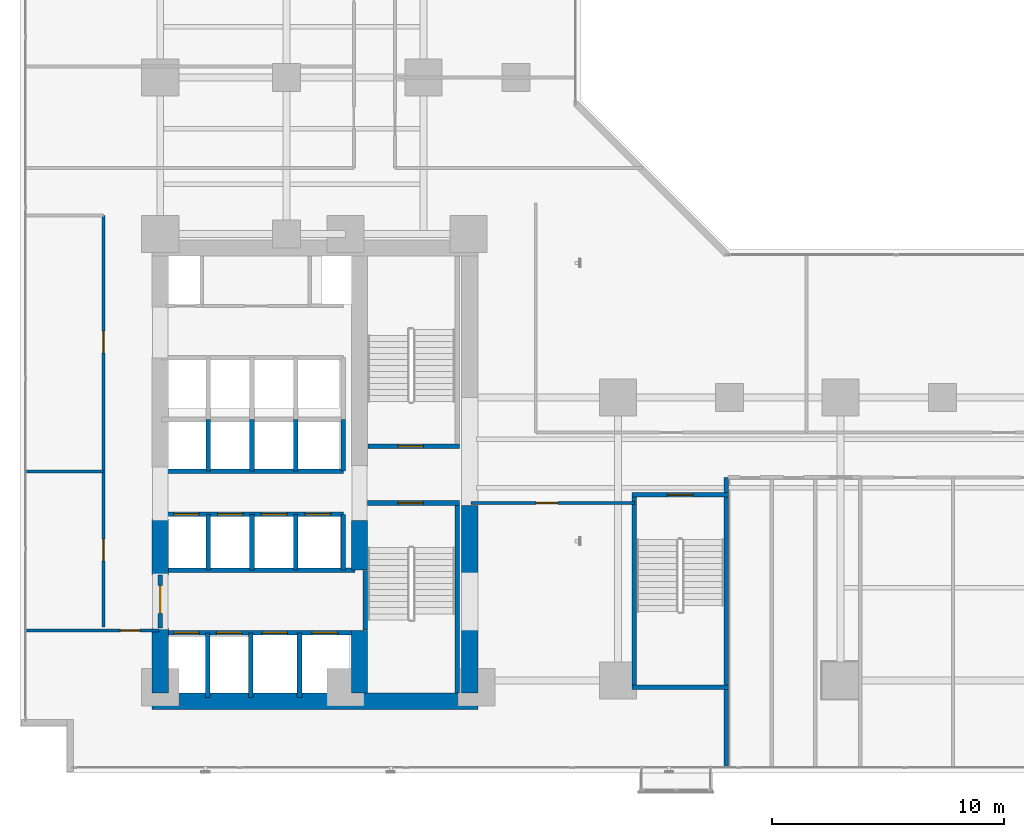
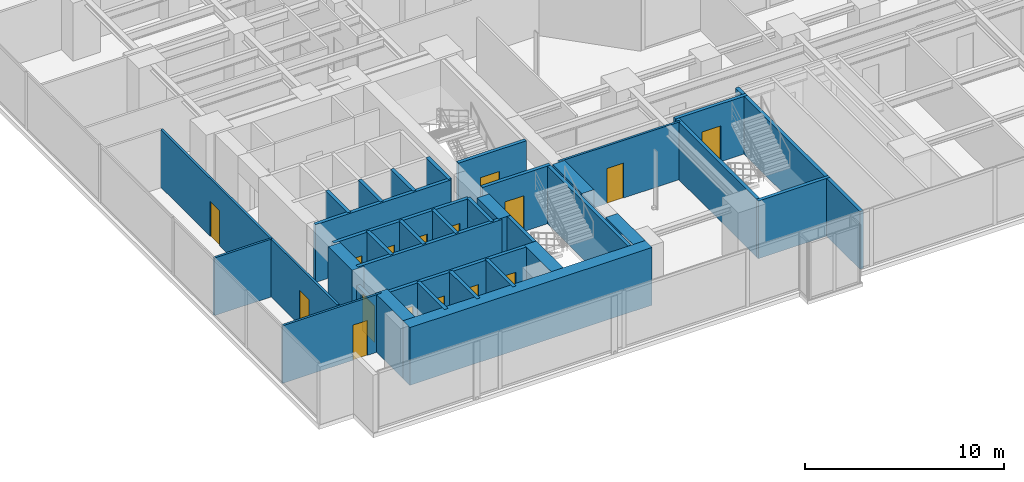
# One storey, part 22 of 27: 35 walls, 16 doors, 16 openings.
"""IFC4 building model written with IfcOpenShell, lengths in metres."""

from ifc_helpers import new_model, si_unit, direction, frame, frame_2d, origin, place, context, subcontext, project, spatial, rectangle, extrude, material, layer, layer_set, type_object, element, fill, save


model = new_model("IFC4")

# Units and contexts
model_context = context("Model", 3, precision=1e-05, world=origin(), true_north=direction((0.0, 1.0)))
body_context = subcontext(model_context, "Body", "Model", "MODEL_VIEW")
ifc_project = project(units=[si_unit("LENGTHUNIT", "METRE"), si_unit("AREAUNIT", "SQUARE_METRE"), si_unit("VOLUMEUNIT", "CUBIC_METRE"), si_unit("PLANEANGLEUNIT", "RADIAN"), si_unit("MASSUNIT", "GRAM", prefix="KILO")], contexts=[model_context])

# Site, building, storey
site_placement = place(None, origin())
site = spatial("IfcSite", under=ifc_project, at=site_placement, CompositionType="ELEMENT")
building_placement = place(site_placement, origin())
building = spatial("IfcBuilding", under=site, at=building_placement, Name="Kolvaren Waterfront Exchange", CompositionType="ELEMENT")
storey_placement = place(building_placement, frame((0.0, 0.0, 63.800048828125)))
storey = spatial("IfcBuildingStorey", under=building, at=storey_placement, Name="L16", CompositionType="ELEMENT", Elevation=63.800048828125)

# Wall, opening, door
ifc_material_1 = material(Name="Precast concrete C40/50", Category="concrete")
ifc_layer_1 = layer(ifc_material_1, 0.199951171875, Name="Precast concrete C40/50")
ifc_layer_set_1 = layer_set([ifc_layer_1], Name="Precast concrete C40/50")
wall_type_1 = type_object("IfcWallType", Name="ARC-FIRE-200", PredefinedType="PARTITIONING", material=ifc_layer_set_1)
wall_1_placement = place(storey_placement, frame((16.39990234375, 12.85009765625, 0.0), z_axis=(0.0, 0.0, 1.0), x_axis=(1.0, 0.0, 0.0)))
wall_1 = element("IfcWall", 1, at=wall_1_placement, inside=storey, type_object=wall_type_1, Name="L16 interior wall PW-L16-ST1-THROAT-S", PredefinedType="PARTITIONING", context=body_context, shape_type="SweptSolid", body=[
    extrude(rectangle(XDim=3.960205078125, YDim=0.199951171875, at=frame_2d((1.97998046875, 0.0))), origin(), (0.0, 0.0, 1.0), 3.5400390625),
])
opening_1_placement = place(wall_1_placement, frame((1.3037109375, 0.0, 0.0)))
opening_1 = element("IfcOpeningElement", 2, at=opening_1_placement, cuts=wall_1, Name="Opening FD2", PredefinedType="OPENING", context=body_context, shape_type="SweptSolid", body=[
    extrude(rectangle(XDim=1.10009765625, YDim=2.199951171875, at=frame_2d((0.550048828125, 1.10009765625))), frame((0.0, 0.10986328125, 0.0), z_axis=(0.0, -1.0, 0.0), x_axis=(1.0, 0.0, 0.0)), (0.0, 0.0, 1.0), 0.219970703125),
])
ifc_material_2 = material(Name="Pressed steel smoke-seal fire door", Category="steel")
door_type_1 = type_object("IfcDoorType", Name="ARC-FD-1100", OperationType="NOTDEFINED", PredefinedType="DOOR", material=ifc_material_2)
door_1_placement = place(opening_1_placement, frame((1.10009765625, 0.0, 0.0), z_axis=(0.0, 0.0, 1.0), x_axis=(-1.0, 0.0, 0.0)))
door_1 = element("IfcDoor", 3, at=door_1_placement, inside=storey, type_object=door_type_1, Name="L16 door DR-L16-ST1-IN (FD2)", OperationType="SINGLE_SWING_RIGHT", OverallHeight=2.199951171875, OverallWidth=1.10009765625, PredefinedType="DOOR", context=body_context, shape_type="SweptSolid", body=[
    extrude(rectangle(XDim=1.10009765625, YDim=2.199951171875, at=frame_2d((0.550048828125, 1.10009765625))), frame((0.0, 0.02490234375, 0.0), z_axis=(0.0, -1.0, 0.0), x_axis=(1.0, 0.0, 0.0)), (0.0, 0.0, 1.0), 0.050048828125),
])
fill(opening_1, door_1)

wall_2_placement = place(storey_placement, frame((16.409912109375, 15.300048828125, 0.0), z_axis=(0.0, 0.0, 1.0), x_axis=(1.0, 0.0, 0.0)))
wall_2 = element("IfcWall", 4, at=wall_2_placement, inside=storey, type_object=wall_type_1, Name="L16 interior wall PW-L16-ST2-THROAT-N", PredefinedType="PARTITIONING", context=body_context, shape_type="SweptSolid", body=[
    extrude(rectangle(XDim=3.9501953125, YDim=0.199951171875, at=frame_2d((1.97509765625, 0.0))), origin(), (0.0, 0.0, 1.0), 3.5400390625),
])
opening_2_placement = place(wall_2_placement, frame((1.293701171875, 0.0, 0.0)))
opening_2 = element("IfcOpeningElement", 5, at=opening_2_placement, cuts=wall_2, Name="Opening FD2", PredefinedType="OPENING", context=body_context, shape_type="SweptSolid", body=[
    extrude(rectangle(XDim=1.10009765625, YDim=2.199951171875, at=frame_2d((0.550048828125, 1.10009765625))), frame((0.0, 0.10986328125, 0.0), z_axis=(0.0, -1.0, 0.0), x_axis=(1.0, 0.0, 0.0)), (0.0, 0.0, 1.0), 0.219970703125),
])
door_2_placement = place(opening_2_placement, origin())
door_2 = element("IfcDoor", 6, at=door_2_placement, inside=storey, type_object=door_type_1, Name="L16 door DR-L16-ST2-IN (FD2)", OperationType="SINGLE_SWING_LEFT", OverallHeight=2.199951171875, OverallWidth=1.10009765625, PredefinedType="DOOR", context=body_context, shape_type="SweptSolid", body=[
    extrude(rectangle(XDim=1.10009765625, YDim=2.199951171875, at=frame_2d((0.550048828125, 1.10009765625))), frame((0.0, 0.02490234375, 0.0), z_axis=(0.0, -1.0, 0.0), x_axis=(1.0, 0.0, 0.0)), (0.0, 0.0, 1.0), 0.050048828125),
])
fill(opening_2, door_2)

# Wall
wall_3_placement = place(storey_placement, frame((7.5, 9.949951171875, 0.0), z_axis=(0.0, 0.0, 1.0), x_axis=(1.0, 0.0, 0.0)))
element("IfcWall", 7, at=wall_3_placement, inside=storey, type_object=wall_type_1, Name="L16 interior wall PW-L16-FF-N", PredefinedType="PARTITIONING", context=body_context, shape_type="SweptSolid", body=[
    extrude(rectangle(XDim=8.35009765625, YDim=0.199951171875, at=frame_2d((4.175048828125, 0.0))), origin(), (0.0, 0.0, 1.0), 3.5400390625),
])

# Wall, opening, door
wall_4_placement = place(storey_placement, frame((7.449951171875, 7.449951171875, 0.0), z_axis=(0.0, 0.0, 1.0), x_axis=(0.0, 1.0, 0.0)))
wall_4 = element("IfcWall", 8, at=wall_4_placement, inside=storey, type_object=wall_type_1, Name="L16 interior wall PW-L16-FF-W-DOOR", PredefinedType="PARTITIONING", context=body_context, shape_type="SweptSolid", body=[
    extrude(rectangle(XDim=2.300048828125, YDim=0.199951171875, at=frame_2d((1.14990234375, 0.0))), origin(), (0.0, 0.0, 1.0), 2.52001953125),
])
opening_3_placement = place(wall_4_placement, frame((0.63330078125, 0.0, 0.0)))
opening_3 = element("IfcOpeningElement", 9, at=opening_3_placement, cuts=wall_4, Name="Opening FD3", PredefinedType="OPENING", context=body_context, shape_type="SweptSolid", body=[
    extrude(rectangle(XDim=1.199951171875, YDim=2.25, at=frame_2d((0.60009765625, 1.125))), frame((0.0, 0.10986328125, 0.0), z_axis=(0.0, -1.0, 0.0), x_axis=(1.0, 0.0, 0.0)), (0.0, 0.0, 1.0), 0.219970703125),
])
ifc_material_3 = material(Name="Pressed steel fire door", Category="steel")
door_type_2 = type_object("IfcDoorType", Name="ARC-FD-1200", OperationType="NOTDEFINED", PredefinedType="DOOR", material=ifc_material_3)
door_3_placement = place(opening_3_placement, frame((1.199951171875, 0.0, 0.0), z_axis=(0.0, 0.0, 1.0), x_axis=(-1.0, 0.0, 0.0)))
door_3 = element("IfcDoor", 10, at=door_3_placement, inside=storey, type_object=door_type_2, Name="L16 door DR-L16-FF-OUT (FD3)", OperationType="SINGLE_SWING_LEFT", OverallHeight=2.25, OverallWidth=1.199951171875, PredefinedType="DOOR", context=body_context, shape_type="SweptSolid", body=[
    extrude(rectangle(XDim=1.199951171875, YDim=2.25, at=frame_2d((0.60009765625, 1.125))), frame((0.0, 0.02490234375, 0.0), z_axis=(0.0, -1.0, 0.0), x_axis=(1.0, 0.0, 0.0)), (0.0, 0.0, 1.0), 0.050048828125),
])
fill(opening_3, door_3)

ifc_material_4 = material(Name="Acoustic gypsum steel stud", Category="steel")
ifc_layer_2 = layer(ifc_material_4, 0.125, Name="Acoustic gypsum steel stud")
ifc_layer_set_2 = layer_set([ifc_layer_2], Name="Acoustic gypsum steel stud")
wall_type_2 = type_object("IfcWallType", Name="ARC-PART-125", PredefinedType="PARTITIONING", material=ifc_layer_set_2)
wall_5_placement = place(storey_placement, frame((1.639892578125, 7.35009765625, 0.0), z_axis=(0.0, 0.0, 1.0), x_axis=(1.0, 0.0, 0.0)))
wall_5 = element("IfcWall", 11, at=wall_5_placement, inside=storey, type_object=wall_type_2, Name="L16 interior wall PW-L16-SWC-N", PredefinedType="PARTITIONING", context=body_context, shape_type="SweptSolid", body=[
    extrude(rectangle(XDim=5.760009765625, YDim=0.125, at=frame_2d((2.8798828125, 0.0))), origin(), (0.0, 0.0, 1.0), 3.5400390625),
])
opening_4_placement = place(wall_5_placement, frame((4.086669921875, 0.0, 0.0)))
opening_4 = element("IfcOpeningElement", 12, at=opening_4_placement, cuts=wall_5, Name="Opening D01", PredefinedType="OPENING", context=body_context, shape_type="SweptSolid", body=[
    extrude(rectangle(XDim=0.85009765625, YDim=2.14990234375, at=frame_2d((0.425048828125, 1.074951171875))), frame((0.0, 0.072509765625, 0.0), z_axis=(0.0, -1.0, 0.0), x_axis=(1.0, 0.0, 0.0)), (0.0, 0.0, 1.0), 0.14501953125),
])
ifc_material_5 = material(Name="Oak veneer timber leaf", Category="wood")
door_type_3 = type_object("IfcDoorType", Name="ARC-DR-900", OperationType="NOTDEFINED", PredefinedType="DOOR", material=ifc_material_5)
door_4_placement = place(opening_4_placement, origin())
door_4 = element("IfcDoor", 13, at=door_4_placement, inside=storey, type_object=door_type_3, Name="L16 door DR-L16-SWC-D (D01)", OperationType="SINGLE_SWING_LEFT", OverallHeight=2.14990234375, OverallWidth=0.85009765625, PredefinedType="DOOR", context=body_context, shape_type="SweptSolid", body=[
    extrude(rectangle(XDim=0.85009765625, YDim=2.14990234375, at=frame_2d((0.425048828125, 1.074951171875))), frame((0.0, 0.02490234375, 0.0), z_axis=(0.0, -1.0, 0.0), x_axis=(1.0, 0.0, 0.0)), (0.0, 0.0, 1.0), 0.050048828125),
])
fill(opening_4, door_4)

# Wall, openings, doors
wall_6_placement = place(storey_placement, frame((5.0, 7.5, 0.0), z_axis=(0.0, 0.0, 1.0), x_axis=(0.0, 1.0, 0.0)))
wall_6 = element("IfcWall", 14, at=wall_6_placement, inside=storey, type_object=wall_type_2, Name="L16 interior wall PW-L16-WFLANK-E", PredefinedType="PARTITIONING", context=body_context, shape_type="SweptSolid", body=[
    extrude(rectangle(XDim=17.75, YDim=0.125, at=frame_2d((8.875, 0.0))), origin(), (0.0, 0.0, 1.0), 3.5400390625),
])
opening_5_placement = place(wall_6_placement, frame((2.85009765625, 0.0, 0.0)))
opening_5 = element("IfcOpeningElement", 15, at=opening_5_placement, cuts=wall_6, Name="Opening D02", PredefinedType="OPENING", context=body_context, shape_type="SweptSolid", body=[
    extrude(rectangle(XDim=0.949951171875, YDim=2.14990234375, at=frame_2d((0.47509765625, 1.074951171875))), frame((0.0, 0.072509765625, 0.0), z_axis=(0.0, -1.0, 0.0), x_axis=(1.0, 0.0, 0.0)), (0.0, 0.0, 1.0), 0.14501953125),
])
opening_6_placement = place(wall_6_placement, frame((11.82080078125, 0.0, 0.0)))
opening_6 = element("IfcOpeningElement", 16, at=opening_6_placement, cuts=wall_6, Name="Opening D02", PredefinedType="OPENING", context=body_context, shape_type="SweptSolid", body=[
    extrude(rectangle(XDim=0.949951171875, YDim=2.14990234375, at=frame_2d((0.47509765625, 1.074951171875))), frame((0.0, 0.072509765625, 0.0), z_axis=(0.0, -1.0, 0.0), x_axis=(1.0, 0.0, 0.0)), (0.0, 0.0, 1.0), 0.14501953125),
])
ifc_material_6 = material(Name="Oak veneer acoustic timber", Category="wood")
door_type_4 = type_object("IfcDoorType", Name="ARC-DR-950", OperationType="NOTDEFINED", PredefinedType="DOOR", material=ifc_material_6)
door_5_placement = place(opening_5_placement, origin())
door_5 = element("IfcDoor", 17, at=door_5_placement, inside=storey, type_object=door_type_4, Name="L16 door DR-L16-WFL1-D (D02)", OperationType="SINGLE_SWING_RIGHT", OverallHeight=2.14990234375, OverallWidth=0.949951171875, PredefinedType="DOOR", context=body_context, shape_type="SweptSolid", body=[
    extrude(rectangle(XDim=0.949951171875, YDim=2.14990234375, at=frame_2d((0.47509765625, 1.074951171875))), frame((0.0, 0.02490234375, 0.0), z_axis=(0.0, -1.0, 0.0), x_axis=(1.0, 0.0, 0.0)), (0.0, 0.0, 1.0), 0.050048828125),
])
fill(opening_5, door_5)
door_6_placement = place(opening_6_placement, origin())
door_6 = element("IfcDoor", 18, at=door_6_placement, inside=storey, type_object=door_type_4, Name="L16 door DR-L16-WFL2-D (D02)", OperationType="SINGLE_SWING_LEFT", OverallHeight=2.14990234375, OverallWidth=0.949951171875, PredefinedType="DOOR", context=body_context, shape_type="SweptSolid", body=[
    extrude(rectangle(XDim=0.949951171875, YDim=2.14990234375, at=frame_2d((0.47509765625, 1.074951171875))), frame((0.0, 0.02490234375, 0.0), z_axis=(0.0, -1.0, 0.0), x_axis=(1.0, 0.0, 0.0)), (0.0, 0.0, 1.0), 0.050048828125),
])
fill(opening_6, door_6)

# Wall
wall_7_placement = place(storey_placement, frame((1.639892578125, 14.199951171875, 0.0), z_axis=(0.0, 0.0, 1.0), x_axis=(1.0, 0.0, 0.0)))
element("IfcWall", 19, at=wall_7_placement, inside=storey, type_object=wall_type_2, Name="L16 interior wall PW-L16-WFLANK-MID", PredefinedType="PARTITIONING", context=body_context, shape_type="SweptSolid", body=[
    extrude(rectangle(XDim=3.360107421875, YDim=0.125, at=frame_2d((1.68017578125, 0.0))), origin(), (0.0, 0.0, 1.0), 3.5400390625),
])

# Wall, opening, door
wall_8_placement = place(storey_placement, frame((20.85009765625, 12.85009765625, 0.0), z_axis=(0.0, 0.0, 1.0), x_axis=(1.0, 0.0, 0.0)))
wall_8 = element("IfcWall", 20, at=wall_8_placement, inside=storey, type_object=wall_type_2, Name="L16 interior wall PW-L16-SWST3-N", PredefinedType="PARTITIONING", context=body_context, shape_type="SweptSolid", body=[
    extrude(rectangle(XDim=7.0498046875, YDim=0.125, at=frame_2d((3.52490234375, 0.0))), origin(), (0.0, 0.0, 1.0), 3.5400390625),
])
opening_7_placement = place(wall_8_placement, frame((2.800048828125, 0.0, 0.0)))
opening_7 = element("IfcOpeningElement", 21, at=opening_7_placement, cuts=wall_8, Name="Opening D02", PredefinedType="OPENING", context=body_context, shape_type="SweptSolid", body=[
    extrude(rectangle(XDim=0.949951171875, YDim=2.14990234375, at=frame_2d((0.47509765625, 1.074951171875))), frame((0.0, 0.072509765625, 0.0), z_axis=(0.0, -1.0, 0.0), x_axis=(1.0, 0.0, 0.0)), (0.0, 0.0, 1.0), 0.14501953125),
])
door_7_placement = place(opening_7_placement, origin())
door_7 = element("IfcDoor", 22, at=door_7_placement, inside=storey, type_object=door_type_4, Name="L16 door DR-L16-SWST3-D (D02)", OperationType="SINGLE_SWING_RIGHT", OverallHeight=2.14990234375, OverallWidth=0.949951171875, PredefinedType="DOOR", context=body_context, shape_type="SweptSolid", body=[
    extrude(rectangle(XDim=0.949951171875, YDim=2.14990234375, at=frame_2d((0.47509765625, 1.074951171875))), frame((0.0, 0.02490234375, 0.0), z_axis=(0.0, -1.0, 0.0), x_axis=(1.0, 0.0, 0.0)), (0.0, 0.0, 1.0), 0.050048828125),
])
fill(opening_7, door_7)

# Walls
ifc_material_7 = material(Name="Concrete C40/50", Category="concrete")
ifc_layer_3 = layer(ifc_material_7, 0.199951171875, Name="Concrete C40/50")
ifc_layer_set_3 = layer_set([ifc_layer_3], Name="Concrete C40/50")
wall_type_3 = type_object("IfcWallType", Name="ARC-SHAFT-200", PredefinedType="PARTITIONING", material=ifc_layer_set_3)
wall_9_placement = place(storey_placement, frame((16.300048828125, 7.360107421875, 0.0), z_axis=(0.0, 0.0, 1.0), x_axis=(0.0, 1.0, 0.0)))
element("IfcWall", 23, at=wall_9_placement, inside=storey, type_object=wall_type_3, Name="L16 structural stairwell wall PW-L16-ST1-W", PredefinedType="SHEAR", context=body_context, shape_type="SweptSolid", body=[
    extrude(rectangle(XDim=2.579833984375, YDim=0.199951171875, at=frame_2d((1.2900390625, 0.0))), origin(), (0.0, 0.0, 1.0), 3.5400390625),
])
wall_10_placement = place(storey_placement, frame((20.260009765625, 4.659912109375, 0.0), z_axis=(0.0, 0.0, 1.0), x_axis=(0.0, 1.0, 0.0)))
element("IfcWall", 24, at=wall_10_placement, inside=storey, type_object=wall_type_3, Name="L16 structural stairwell wall PW-L16-ST1-E", PredefinedType="SHEAR", context=body_context, shape_type="SweptSolid", body=[
    extrude(rectangle(XDim=8.090087890625, YDim=0.199951171875, at=frame_2d((4.044921875, 0.0))), origin(), (0.0, 0.0, 1.0), 3.5400390625),
])
wall_11_placement = place(storey_placement, frame((27.89990234375, 5.0, 0.0), z_axis=(0.0, 0.0, 1.0), x_axis=(0.0, 1.0, 0.0)))
element("IfcWall", 25, at=wall_11_placement, inside=storey, type_object=wall_type_3, Name="L16 structural stairwell wall PW-L16-ST3-W", PredefinedType="SHEAR", context=body_context, shape_type="SweptSolid", body=[
    extrude(rectangle(XDim=8.10009765625, YDim=0.199951171875, at=frame_2d((4.050048828125, 0.0))), origin(), (0.0, 0.0, 1.0), 3.5400390625),
])
wall_12_placement = place(storey_placement, frame((31.860107421875, 1.43994140625, 0.0), z_axis=(0.0, 0.0, 1.0), x_axis=(0.0, 1.0, 0.0)))
element("IfcWall", 26, at=wall_12_placement, inside=storey, type_object=wall_type_3, Name="L16 structural stairwell wall PW-L16-ST3-E", PredefinedType="SHEAR", context=body_context, shape_type="SweptSolid", body=[
    extrude(rectangle(XDim=12.510009765625, YDim=0.199951171875, at=frame_2d((6.2548828125, 0.0))), origin(), (0.0, 0.0, 1.0), 3.5400390625),
])
wall_13_placement = place(storey_placement, frame((27.800048828125, 4.89990234375, 0.0), z_axis=(0.0, 0.0, 1.0), x_axis=(1.0, 0.0, 0.0)))
element("IfcWall", 27, at=wall_13_placement, inside=storey, type_object=wall_type_3, Name="L16 structural stairwell wall PW-L16-ST3-S", PredefinedType="SHEAR", context=body_context, shape_type="SweptSolid", body=[
    extrude(rectangle(XDim=4.159912109375, YDim=0.199951171875, at=frame_2d((2.080078125, 0.0))), origin(), (0.0, 0.0, 1.0), 3.5400390625),
])

# Wall, opening, door
wall_14_placement = place(storey_placement, frame((27.800048828125, 13.199951171875, 0.0), z_axis=(0.0, 0.0, 1.0), x_axis=(1.0, 0.0, 0.0)))
wall_14 = element("IfcWall", 28, at=wall_14_placement, inside=storey, type_object=wall_type_3, Name="L16 structural stairwell wall PW-L16-ST3-N", PredefinedType="SHEAR", context=body_context, shape_type="SweptSolid", body=[
    extrude(rectangle(XDim=4.159912109375, YDim=0.199951171875, at=frame_2d((2.080078125, 0.0))), origin(), (0.0, 0.0, 1.0), 3.5400390625),
])
opening_8_placement = place(wall_14_placement, frame((1.530029296875, 0.0, 0.0)))
opening_8 = element("IfcOpeningElement", 29, at=opening_8_placement, cuts=wall_14, Name="Opening FD2", PredefinedType="OPENING", context=body_context, shape_type="SweptSolid", body=[
    extrude(rectangle(XDim=1.10009765625, YDim=2.199951171875, at=frame_2d((0.550048828125, 1.10009765625))), frame((0.0, 0.10986328125, 0.0), z_axis=(0.0, -1.0, 0.0), x_axis=(1.0, 0.0, 0.0)), (0.0, 0.0, 1.0), 0.219970703125),
])
door_8_placement = place(opening_8_placement, frame((1.10009765625, 0.0, 0.0), z_axis=(0.0, 0.0, 1.0), x_axis=(-1.0, 0.0, 0.0)))
door_8 = element("IfcDoor", 30, at=door_8_placement, inside=storey, type_object=door_type_1, Name="L16 door DR-L16-ST3-IN (FD2)", OperationType="SINGLE_SWING_RIGHT", OverallHeight=2.199951171875, OverallWidth=1.10009765625, PredefinedType="DOOR", context=body_context, shape_type="SweptSolid", body=[
    extrude(rectangle(XDim=1.10009765625, YDim=2.199951171875, at=frame_2d((0.550048828125, 1.10009765625))), frame((0.0, 0.02490234375, 0.0), z_axis=(0.0, -1.0, 0.0), x_axis=(1.0, 0.0, 0.0)), (0.0, 0.0, 1.0), 0.050048828125),
])
fill(opening_8, door_8)

# Wall, openings, doors
wall_15_placement = place(storey_placement, frame((7.5, 7.25, 0.0), z_axis=(0.0, 0.0, 1.0), x_axis=(1.0, 0.0, 0.0)))
wall_15 = element("IfcWall", 31, at=wall_15_placement, inside=storey, type_object=wall_type_3, Name="L16 interior wall PW-L16-FF-S", PredefinedType="PARTITIONING", context=body_context, shape_type="SweptSolid", body=[
    extrude(rectangle(XDim=8.35009765625, YDim=0.199951171875, at=frame_2d((4.175048828125, 0.0))), origin(), (0.0, 0.0, 1.0), 3.5400390625),
])
opening_9_placement = place(wall_15_placement, frame((0.530029296875, 0.0, 0.0)))
opening_9 = element("IfcOpeningElement", 32, at=opening_9_placement, cuts=wall_15, Name="Opening LD1", PredefinedType="OPENING", context=body_context, shape_type="SweptSolid", body=[
    extrude(rectangle(XDim=1.10009765625, YDim=2.199951171875, at=frame_2d((0.550048828125, 1.10009765625))), frame((0.0, 0.10986328125, 0.0), z_axis=(0.0, -1.0, 0.0), x_axis=(1.0, 0.0, 0.0)), (0.0, 0.0, 1.0), 0.219970703125),
])
opening_10_placement = place(wall_15_placement, frame((2.3701171875, 0.0, 0.0)))
opening_10 = element("IfcOpeningElement", 33, at=opening_10_placement, cuts=wall_15, Name="Opening LD1", PredefinedType="OPENING", context=body_context, shape_type="SweptSolid", body=[
    extrude(rectangle(XDim=1.10009765625, YDim=2.199951171875, at=frame_2d((0.550048828125, 1.10009765625))), frame((0.0, 0.10986328125, 0.0), z_axis=(0.0, -1.0, 0.0), x_axis=(1.0, 0.0, 0.0)), (0.0, 0.0, 1.0), 0.219970703125),
])
opening_11_placement = place(wall_15_placement, frame((4.330078125, 0.0, 0.0)))
opening_11 = element("IfcOpeningElement", 34, at=opening_11_placement, cuts=wall_15, Name="Opening LD1", PredefinedType="OPENING", context=body_context, shape_type="SweptSolid", body=[
    extrude(rectangle(XDim=1.10009765625, YDim=2.199951171875, at=frame_2d((0.550048828125, 1.10009765625))), frame((0.0, 0.10986328125, 0.0), z_axis=(0.0, -1.0, 0.0), x_axis=(1.0, 0.0, 0.0)), (0.0, 0.0, 1.0), 0.219970703125),
])
opening_12_placement = place(wall_15_placement, frame((6.5, 0.0, 0.0)))
opening_12 = element("IfcOpeningElement", 35, at=opening_12_placement, cuts=wall_15, Name="Opening LD1", PredefinedType="OPENING", context=body_context, shape_type="SweptSolid", body=[
    extrude(rectangle(XDim=1.10009765625, YDim=2.199951171875, at=frame_2d((0.550048828125, 1.10009765625))), frame((0.0, 0.10986328125, 0.0), z_axis=(0.0, -1.0, 0.0), x_axis=(1.0, 0.0, 0.0)), (0.0, 0.0, 1.0), 0.219970703125),
])
ifc_material_8 = material(Name="Stainless steel sliding landing door", Category="steel")
door_type_5 = type_object("IfcDoorType", Name="ARC-LD-FF", OperationType="SLIDING_TO_LEFT", PredefinedType="DOOR", material=ifc_material_8)
door_9_placement = place(opening_9_placement, origin())
door_9 = element("IfcDoor", 36, at=door_9_placement, inside=storey, type_object=door_type_5, Name="L16 door LD-L16-FFL1 (LD1)", OperationType="SLIDING_TO_LEFT", OverallHeight=2.199951171875, OverallWidth=1.10009765625, PredefinedType="DOOR", context=body_context, shape_type="SweptSolid", body=[
    extrude(rectangle(XDim=1.10009765625, YDim=2.199951171875, at=frame_2d((0.550048828125, 1.10009765625))), frame((0.0, 0.02490234375, 0.0), z_axis=(0.0, -1.0, 0.0), x_axis=(1.0, 0.0, 0.0)), (0.0, 0.0, 1.0), 0.050048828125),
])
fill(opening_9, door_9)
door_10_placement = place(opening_10_placement, origin())
door_10 = element("IfcDoor", 37, at=door_10_placement, inside=storey, type_object=door_type_5, Name="L16 door LD-L16-FFL2 (LD1)", OperationType="SLIDING_TO_LEFT", OverallHeight=2.199951171875, OverallWidth=1.10009765625, PredefinedType="DOOR", context=body_context, shape_type="SweptSolid", body=[
    extrude(rectangle(XDim=1.10009765625, YDim=2.199951171875, at=frame_2d((0.550048828125, 1.10009765625))), frame((0.0, 0.02490234375, 0.0), z_axis=(0.0, -1.0, 0.0), x_axis=(1.0, 0.0, 0.0)), (0.0, 0.0, 1.0), 0.050048828125),
])
fill(opening_10, door_10)
door_11_placement = place(opening_11_placement, origin())
door_11 = element("IfcDoor", 38, at=door_11_placement, inside=storey, type_object=door_type_5, Name="L16 door LD-L16-GL1 (LD1)", OperationType="SLIDING_TO_LEFT", OverallHeight=2.199951171875, OverallWidth=1.10009765625, PredefinedType="DOOR", context=body_context, shape_type="SweptSolid", body=[
    extrude(rectangle(XDim=1.10009765625, YDim=2.199951171875, at=frame_2d((0.550048828125, 1.10009765625))), frame((0.0, 0.02490234375, 0.0), z_axis=(0.0, -1.0, 0.0), x_axis=(1.0, 0.0, 0.0)), (0.0, 0.0, 1.0), 0.050048828125),
])
fill(opening_11, door_11)
door_12_placement = place(opening_12_placement, origin())
door_12 = element("IfcDoor", 39, at=door_12_placement, inside=storey, type_object=door_type_5, Name="L16 door LD-L16-GL2 (LD1)", OperationType="SLIDING_TO_LEFT", OverallHeight=2.199951171875, OverallWidth=1.10009765625, PredefinedType="DOOR", context=body_context, shape_type="SweptSolid", body=[
    extrude(rectangle(XDim=1.10009765625, YDim=2.199951171875, at=frame_2d((0.550048828125, 1.10009765625))), frame((0.0, 0.02490234375, 0.0), z_axis=(0.0, -1.0, 0.0), x_axis=(1.0, 0.0, 0.0)), (0.0, 0.0, 1.0), 0.050048828125),
])
fill(opening_12, door_12)

# Walls
for number, where, z_axis, x_axis, name in (
    (40, (9.5, 4.449951171875, 0.0), (0.0, 0.0, 1.0), (0.0, 1.0, 0.0), "L16 interior wall PW-L16-SH1-DIV-95"),
    (41, (11.360107421875, 4.449951171875, 0.0), (0.0, 0.0, 1.0), (0.0, 1.0, 0.0), "L16 interior wall PW-L16-SH1-DIV-113"),
    (42, (13.4599609375, 4.449951171875, 0.0), (0.0, 0.0, 1.0), (0.0, 1.0, 0.0), "L16 interior wall PW-L16-SH1-DIV-134"),
):
    element("IfcWall", number, at=place(storey_placement, frame(where, z_axis=z_axis, x_axis=x_axis)), inside=storey, type_object=wall_type_3, Name=name, PredefinedType="PARTITIONING", context=body_context, shape_type="SweptSolid", body=[
        extrude(rectangle(XDim=2.800048828125, YDim=0.199951171875, at=frame_2d((1.39990234375, 0.0))), origin(), (0.0, 0.0, 1.0), 3.5400390625),
    ])

# Wall, openings, doors
wall_16_placement = place(storey_placement, frame((7.5, 12.360107421875, 0.0), z_axis=(0.0, 0.0, 1.0), x_axis=(1.0, 0.0, 0.0)))
wall_16 = element("IfcWall", 43, at=wall_16_placement, inside=storey, type_object=wall_type_3, Name="L16 interior wall PW-L16-PL-N", PredefinedType="PARTITIONING", context=body_context, shape_type="SweptSolid", body=[
    extrude(rectangle(XDim=7.85009765625, YDim=0.199951171875, at=frame_2d((3.925048828125, 0.0))), origin(), (0.0, 0.0, 1.0), 3.5400390625),
])
opening_13_placement = place(wall_16_placement, frame((0.530029296875, 0.0, 0.0)))
opening_13 = element("IfcOpeningElement", 44, at=opening_13_placement, cuts=wall_16, Name="Opening LD2", PredefinedType="OPENING", context=body_context, shape_type="SweptSolid", body=[
    extrude(rectangle(XDim=1.10009765625, YDim=2.199951171875, at=frame_2d((0.550048828125, 1.10009765625))), frame((0.0, 0.10986328125, 0.0), z_axis=(0.0, -1.0, 0.0), x_axis=(1.0, 0.0, 0.0)), (0.0, 0.0, 1.0), 0.219970703125),
])
opening_14_placement = place(wall_16_placement, frame((2.419921875, 0.0, 0.0)))
opening_14 = element("IfcOpeningElement", 45, at=opening_14_placement, cuts=wall_16, Name="Opening LD2", PredefinedType="OPENING", context=body_context, shape_type="SweptSolid", body=[
    extrude(rectangle(XDim=1.10009765625, YDim=2.199951171875, at=frame_2d((0.550048828125, 1.10009765625))), frame((0.0, 0.10986328125, 0.0), z_axis=(0.0, -1.0, 0.0), x_axis=(1.0, 0.0, 0.0)), (0.0, 0.0, 1.0), 0.219970703125),
])
opening_15_placement = place(wall_16_placement, frame((4.31005859375, 0.0, 0.0)))
opening_15 = element("IfcOpeningElement", 46, at=opening_15_placement, cuts=wall_16, Name="Opening LD2", PredefinedType="OPENING", context=body_context, shape_type="SweptSolid", body=[
    extrude(rectangle(XDim=1.10009765625, YDim=2.199951171875, at=frame_2d((0.550048828125, 1.10009765625))), frame((0.0, 0.10986328125, 0.0), z_axis=(0.0, -1.0, 0.0), x_axis=(1.0, 0.0, 0.0)), (0.0, 0.0, 1.0), 0.219970703125),
])
opening_16_placement = place(wall_16_placement, frame((6.199951171875, 0.0, 0.0)))
opening_16 = element("IfcOpeningElement", 47, at=opening_16_placement, cuts=wall_16, Name="Opening LD2", PredefinedType="OPENING", context=body_context, shape_type="SweptSolid", body=[
    extrude(rectangle(XDim=1.10009765625, YDim=2.199951171875, at=frame_2d((0.550048828125, 1.10009765625))), frame((0.0, 0.10986328125, 0.0), z_axis=(0.0, -1.0, 0.0), x_axis=(1.0, 0.0, 0.0)), (0.0, 0.0, 1.0), 0.219970703125),
])
ifc_material_9 = material(Name="Brushed bronze sliding landing door", Category="aluminium")
door_type_6 = type_object("IfcDoorType", Name="ARC-LD-PAX", OperationType="SLIDING_TO_LEFT", PredefinedType="DOOR", material=ifc_material_9)
door_13_placement = place(opening_13_placement, origin())
door_13 = element("IfcDoor", 48, at=door_13_placement, inside=storey, type_object=door_type_6, Name="L16 door LD-L16-PL1 (LD2)", OperationType="SLIDING_TO_LEFT", OverallHeight=2.199951171875, OverallWidth=1.10009765625, PredefinedType="DOOR", context=body_context, shape_type="SweptSolid", body=[
    extrude(rectangle(XDim=1.10009765625, YDim=2.199951171875, at=frame_2d((0.550048828125, 1.10009765625))), frame((0.0, 0.02490234375, 0.0), z_axis=(0.0, -1.0, 0.0), x_axis=(1.0, 0.0, 0.0)), (0.0, 0.0, 1.0), 0.050048828125),
])
fill(opening_13, door_13)
door_14_placement = place(opening_14_placement, origin())
door_14 = element("IfcDoor", 49, at=door_14_placement, inside=storey, type_object=door_type_6, Name="L16 door LD-L16-PL2 (LD2)", OperationType="SLIDING_TO_LEFT", OverallHeight=2.199951171875, OverallWidth=1.10009765625, PredefinedType="DOOR", context=body_context, shape_type="SweptSolid", body=[
    extrude(rectangle(XDim=1.10009765625, YDim=2.199951171875, at=frame_2d((0.550048828125, 1.10009765625))), frame((0.0, 0.02490234375, 0.0), z_axis=(0.0, -1.0, 0.0), x_axis=(1.0, 0.0, 0.0)), (0.0, 0.0, 1.0), 0.050048828125),
])
fill(opening_14, door_14)
door_15_placement = place(opening_15_placement, origin())
door_15 = element("IfcDoor", 50, at=door_15_placement, inside=storey, type_object=door_type_6, Name="L16 door LD-L16-PL3 (LD2)", OperationType="SLIDING_TO_LEFT", OverallHeight=2.199951171875, OverallWidth=1.10009765625, PredefinedType="DOOR", context=body_context, shape_type="SweptSolid", body=[
    extrude(rectangle(XDim=1.10009765625, YDim=2.199951171875, at=frame_2d((0.550048828125, 1.10009765625))), frame((0.0, 0.02490234375, 0.0), z_axis=(0.0, -1.0, 0.0), x_axis=(1.0, 0.0, 0.0)), (0.0, 0.0, 1.0), 0.050048828125),
])
fill(opening_15, door_15)
door_16_placement = place(opening_16_placement, origin())
door_16 = element("IfcDoor", 51, at=door_16_placement, inside=storey, type_object=door_type_6, Name="L16 door LD-L16-PL4 (LD2)", OperationType="SLIDING_TO_LEFT", OverallHeight=2.199951171875, OverallWidth=1.10009765625, PredefinedType="DOOR", context=body_context, shape_type="SweptSolid", body=[
    extrude(rectangle(XDim=1.10009765625, YDim=2.199951171875, at=frame_2d((0.550048828125, 1.10009765625))), frame((0.0, 0.02490234375, 0.0), z_axis=(0.0, -1.0, 0.0), x_axis=(1.0, 0.0, 0.0)), (0.0, 0.0, 1.0), 0.050048828125),
])
fill(opening_16, door_16)

# Walls
for number, where, z_axis, x_axis, name in (
    (52, (15.35009765625, 9.949951171875, 0.0), (0.0, 0.0, 1.0), (0.0, 1.0, 0.0), "L16 interior wall PW-L16-PL-E"),
    (53, (9.52001953125, 9.949951171875, 0.0), (0.0, 0.0, 1.0), (0.0, 1.0, 0.0), "L16 interior wall PW-L16-SH2-DIV-95"),
    (54, (11.409912109375, 9.949951171875, 0.0), (0.0, 0.0, 1.0), (0.0, 1.0, 0.0), "L16 interior wall PW-L16-SH2-DIV-114"),
    (55, (13.300048828125, 9.949951171875, 0.0), (0.0, 0.0, 1.0), (0.0, 1.0, 0.0), "L16 interior wall PW-L16-SH2-DIV-133"),
):
    element("IfcWall", number, at=place(storey_placement, frame(where, z_axis=z_axis, x_axis=x_axis)), inside=storey, type_object=wall_type_3, Name=name, PredefinedType="PARTITIONING", context=body_context, shape_type="SweptSolid", body=[
        extrude(rectangle(XDim=2.41015625, YDim=0.199951171875, at=frame_2d((1.205078125, 0.0))), origin(), (0.0, 0.0, 1.0), 3.5400390625),
    ])
wall_17_placement = place(storey_placement, frame((7.5, 14.219970703125, 0.0), z_axis=(0.0, 0.0, 1.0), x_axis=(1.0, 0.0, 0.0)))
element("IfcWall", 56, at=wall_17_placement, inside=storey, type_object=wall_type_3, Name="L16 interior wall PW-L16-PM-S", PredefinedType="PARTITIONING", context=body_context, shape_type="SweptSolid", body=[
    extrude(rectangle(XDim=7.85009765625, YDim=0.199951171875, at=frame_2d((3.925048828125, 0.0))), origin(), (0.0, 0.0, 1.0), 3.5400390625),
])
for number, where, z_axis, x_axis, name in (
    (57, (15.35009765625, 14.219970703125, 0.0), (0.0, 0.0, 1.0), (0.0, 1.0, 0.0), "L16 interior wall PW-L16-PM-E"),
    (58, (9.52001953125, 14.219970703125, 0.0), (0.0, 0.0, 1.0), (0.0, 1.0, 0.0), "L16 interior wall PW-L16-SH3-DIV-95"),
    (59, (11.409912109375, 14.219970703125, 0.0), (0.0, 0.0, 1.0), (0.0, 1.0, 0.0), "L16 interior wall PW-L16-SH3-DIV-114"),
    (60, (13.300048828125, 14.219970703125, 0.0), (0.0, 0.0, 1.0), (0.0, 1.0, 0.0), "L16 interior wall PW-L16-SH3-DIV-133"),
):
    element("IfcWall", number, at=place(storey_placement, frame(where, z_axis=z_axis, x_axis=x_axis)), inside=storey, type_object=wall_type_3, Name=name, PredefinedType="PARTITIONING", context=body_context, shape_type="SweptSolid", body=[
        extrude(rectangle(XDim=2.22998046875, YDim=0.199951171875, at=frame_2d((1.114990234375, 0.0))), origin(), (0.0, 0.0, 1.0), 3.5400390625),
    ])
ifc_material_10 = material(Name="Concrete C70/85", Category="concrete")
ifc_layer_4 = layer(ifc_material_10, 0.699951171875, Name="Concrete C70/85")
ifc_layer_set_4 = layer_set([ifc_layer_4], Name="Concrete C70/85")
wall_type_4 = type_object("IfcWallType", Name="STR-CWALL-700", PredefinedType="SHEAR", material=ifc_layer_set_4)
wall_18_placement = place(storey_placement, frame((7.10009765625, 4.300048828125, 0.0), z_axis=(0.0, 0.0, 1.0), x_axis=(1.0, 0.0, 0.0)))
element("IfcWall", 61, at=wall_18_placement, inside=storey, type_object=wall_type_4, Name="L16 rear-core shear wall S", PredefinedType="SHEAR", context=body_context, shape_type="SweptSolid", body=[
    extrude(rectangle(XDim=14.0498046875, YDim=0.699951171875, at=frame_2d((7.02490234375, 0.0))), origin(), (0.0, 0.0, 1.0), 3.5400390625),
])
wall_19_placement = place(storey_placement, frame((7.449951171875, 4.64990234375, 0.0), z_axis=(0.0, 0.0, 1.0), x_axis=(0.0, 1.0, 0.0)))
element("IfcWall", 62, at=wall_19_placement, inside=storey, type_object=wall_type_4, Name="L16 rear-core shear wall W1", PredefinedType="SHEAR", context=body_context, shape_type="SweptSolid", body=[
    extrude(rectangle(XDim=2.800048828125, YDim=0.699951171875, at=frame_2d((1.39990234375, 0.0))), origin(), (0.0, 0.0, 1.0), 3.5400390625),
])
wall_20_placement = place(storey_placement, frame((7.449951171875, 9.75, 0.0), z_axis=(0.0, 0.0, 1.0), x_axis=(0.0, 1.0, 0.0)))
element("IfcWall", 63, at=wall_20_placement, inside=storey, type_object=wall_type_4, Name="L16 rear-core shear wall W2A", PredefinedType="SHEAR", context=body_context, shape_type="SweptSolid", body=[
    extrude(rectangle(XDim=2.39990234375, YDim=0.699951171875, at=frame_2d((1.199951171875, 0.0))), origin(), (0.0, 0.0, 1.0), 3.5400390625),
])
wall_21_placement = place(storey_placement, frame((20.800048828125, 4.64990234375, 0.0), z_axis=(0.0, 0.0, 1.0), x_axis=(0.0, 1.0, 0.0)))
element("IfcWall", 64, at=wall_21_placement, inside=storey, type_object=wall_type_4, Name="L16 rear-core shear wall E1", PredefinedType="SHEAR", context=body_context, shape_type="SweptSolid", body=[
    extrude(rectangle(XDim=2.75, YDim=0.699951171875, at=frame_2d((1.375, 0.0))), origin(), (0.0, 0.0, 1.0), 3.5400390625),
])
wall_22_placement = place(storey_placement, frame((20.800048828125, 9.800048828125, 0.0), z_axis=(0.0, 0.0, 1.0), x_axis=(0.0, 1.0, 0.0)))
element("IfcWall", 65, at=wall_22_placement, inside=storey, type_object=wall_type_4, Name="L16 rear-core shear wall E2", PredefinedType="SHEAR", context=body_context, shape_type="SweptSolid", body=[
    extrude(rectangle(XDim=2.949951171875, YDim=0.699951171875, at=frame_2d((1.47509765625, 0.0))), origin(), (0.0, 0.0, 1.0), 3.5400390625),
])
wall_23_placement = place(storey_placement, frame((16.050048828125, 4.64990234375, 0.0), z_axis=(0.0, 0.0, 1.0), x_axis=(0.0, 1.0, 0.0)))
element("IfcWall", 66, at=wall_23_placement, inside=storey, type_object=wall_type_4, Name="L16 rear-core shear wall M1", PredefinedType="SHEAR", context=body_context, shape_type="SweptSolid", body=[
    extrude(rectangle(XDim=2.7001953125, YDim=0.699951171875, at=frame_2d((1.35009765625, 0.0))), origin(), (0.0, 0.0, 1.0), 3.5400390625),
])
wall_24_placement = place(storey_placement, frame((16.050048828125, 9.949951171875, 0.0), z_axis=(0.0, 0.0, 1.0), x_axis=(0.0, 1.0, 0.0)))
element("IfcWall", 67, at=wall_24_placement, inside=storey, type_object=wall_type_4, Name="L16 rear-core shear wall M2", PredefinedType="SHEAR", context=body_context, shape_type="SweptSolid", body=[
    extrude(rectangle(XDim=2.150146484375, YDim=0.699951171875, at=frame_2d((1.0751953125, 0.0))), origin(), (0.0, 0.0, 1.0), 3.5400390625),
])

save(model, "model.ifc")
